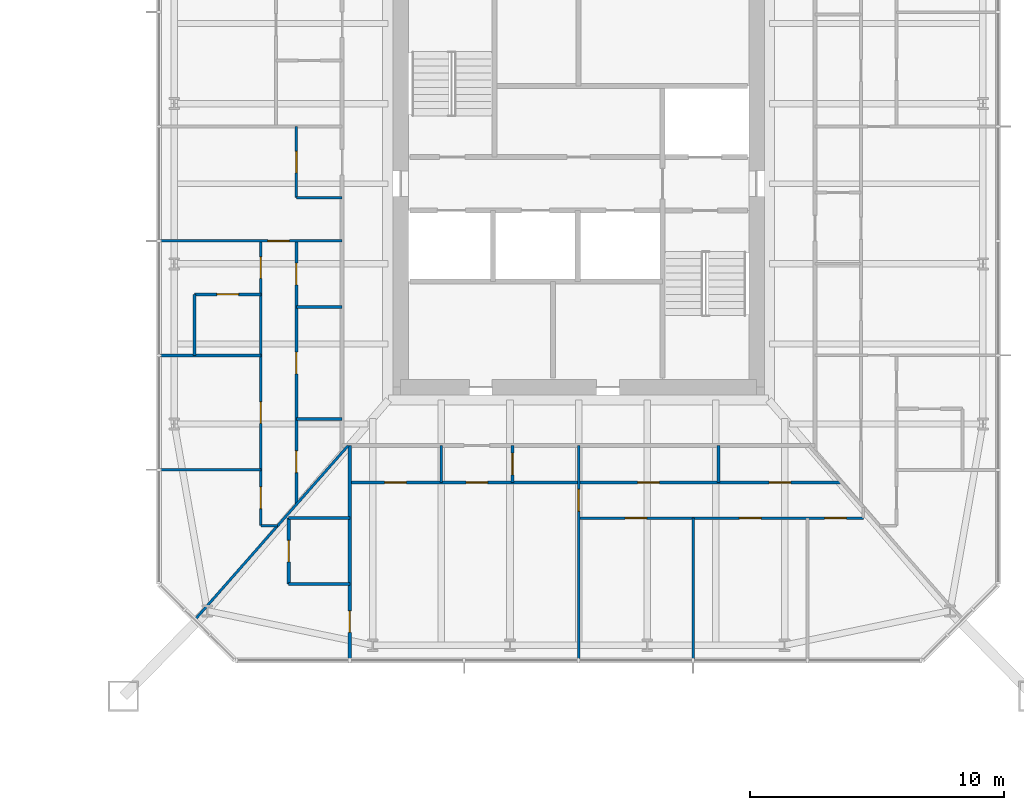
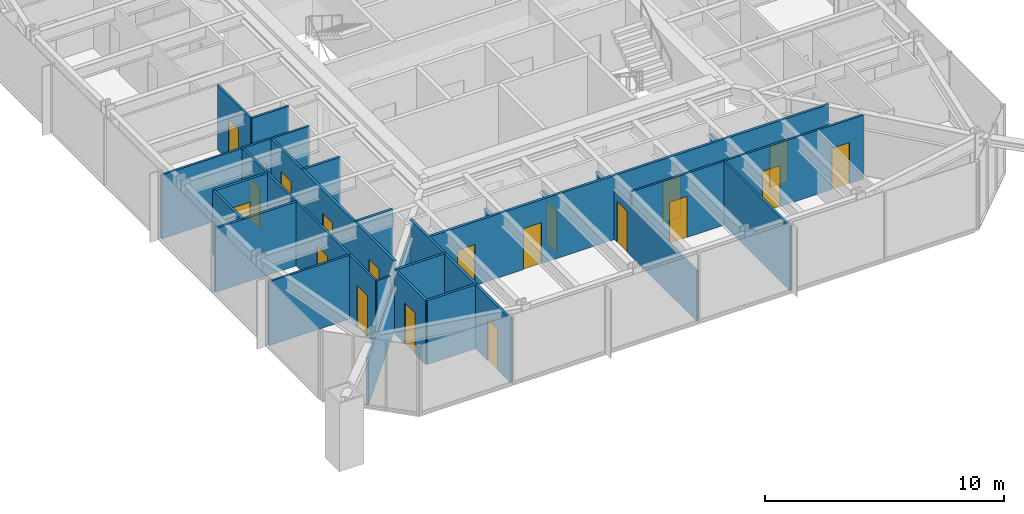
# One storey, part 18 of 26: 24 walls, 20 doors, 20 openings.
"""IFC4 building model written with IfcOpenShell, lengths in metres."""

import ifcopenshell
import ifcopenshell.guid

model = None  # the IFC model being written
_history = None  # IfcOwnerHistory: only IFC2X3 demands one
_inside = {}  # id of a spatial element -> (the spatial element, [elements in it])
_under = {}  # id of a project, library or spatial element -> (it, [spatial elements below it])
_declared = {}  # id of a project -> (the project, [libraries it declares])
_typed = {}  # id of a type object -> (the type object, [elements of that type])
_made_of = {}  # id of a material, layer set ... -> (it, [elements and type objects made of it])


def new_model(schema):
    """Start an empty IFC model of exactly this schema.

    Asked for "IFC4X3", IfcOpenShell would pick the latest addendum, in which some entities
    have other attributes; the version numbers below select the first issue.
    IFC2X3 requires an IfcOwnerHistory on every rooted entity: one is made here for all.
    """
    global model, _history
    if schema == "IFC4X3":
        model = ifcopenshell.file(schema_version=(4, 3, 0, 0))
    else:
        model = ifcopenshell.file(schema=schema)
    _inside.clear()
    _under.clear()
    _declared.clear()
    _typed.clear()
    _made_of.clear()
    _history = None
    if model.schema == "IFC2X3":
        org = make("IfcOrganization", Name="unknown")
        user = make(
            "IfcPersonAndOrganization",
            ThePerson=make("IfcPerson", FamilyName="unknown"),
            TheOrganization=org,
        )
        app = make(
            "IfcApplication",
            ApplicationDeveloper=org,
            Version="unknown",
            ApplicationFullName="unknown",
            ApplicationIdentifier="unknown",
        )
        _history = make(
            "IfcOwnerHistory",
            OwningUser=user,
            OwningApplication=app,
            ChangeAction="ADDED",
            CreationDate=0,
        )
    return model


def make(cls, **values):
    """One entity of the class cls with the attributes given. An attribute that is None is left unset."""
    return model.create_entity(
        cls, **{name: value for name, value in values.items() if value is not None}
    )


def rooted(cls, **values):
    """An entity with a GlobalId (a new one), such as an element, a storey or a relation."""
    return make(cls, GlobalId=ifcopenshell.guid.new(), OwnerHistory=_history, **values)


def si_unit(unit_type, name, prefix=None):
    """IfcSIUnit, for example si_unit("LENGTHUNIT", "METRE", prefix="MILLI")."""
    return make("IfcSIUnit", UnitType=unit_type, Prefix=prefix, Name=name)


def assignment(units):
    """IfcUnitAssignment: the units of a project."""
    return None if units is None else make("IfcUnitAssignment", Units=units)


def point(xyz):
    """IfcCartesianPoint."""
    return None if xyz is None else make("IfcCartesianPoint", Coordinates=xyz)


def direction(xyz):
    """IfcDirection."""
    return None if xyz is None else make("IfcDirection", DirectionRatios=xyz)


def frame(location, z_axis=None, x_axis=None):
    """IfcAxis2Placement3D, a coordinate frame: its origin and axes. An axis left out is left unset."""
    return make(
        "IfcAxis2Placement3D",
        Location=point(location),
        Axis=direction(z_axis),
        RefDirection=direction(x_axis),
    )


def frame_2d(location, x_axis=None):
    """IfcAxis2Placement2D, a coordinate frame in the plane: its origin and x axis."""
    return make(
        "IfcAxis2Placement2D", Location=point(location), RefDirection=direction(x_axis)
    )


def origin():
    """The frame at (0, 0, 0) with its axes left unset."""
    return frame((0.0, 0.0, 0.0))


def place(relative_to, where):
    """IfcLocalPlacement: puts the frame where relative to a parent placement (None: the world)."""
    return make(
        "IfcLocalPlacement", PlacementRelTo=relative_to, RelativePlacement=where
    )


def context(
    kind, dimensions, precision=None, world=None, true_north=None, identifier=None
):
    """IfcGeometricRepresentationContext, for example the 3D "Model" context."""
    return make(
        "IfcGeometricRepresentationContext",
        ContextIdentifier=identifier,
        ContextType=kind,
        CoordinateSpaceDimension=dimensions,
        Precision=precision,
        WorldCoordinateSystem=world,
        TrueNorth=true_north,
    )


def subcontext(parent, identifier, kind, view, scale=None):
    """IfcGeometricRepresentationSubContext, for example "Body" below "Model"."""
    return make(
        "IfcGeometricRepresentationSubContext",
        ContextIdentifier=identifier,
        ContextType=kind,
        ParentContext=parent,
        TargetScale=scale,
        TargetView=view,
    )


def project(units=None, contexts=None):
    """IfcProject with its units and contexts."""
    return rooted(
        "IfcProject",
        Name="project",
        RepresentationContexts=contexts,
        UnitsInContext=assignment(units),
    )


def spatial(cls, under=None, at=None, **own):
    """A site, building, storey or space (cls), placed at a placement, below another one or the project."""
    s = rooted(cls, ObjectPlacement=at, **own)
    if under is not None:
        _under.setdefault(under.id(), (under, []))[1].append(s)
    return s


def profile(cls, at=None, kind="AREA", **sizes):
    """A parametric profile (cls). Its sizes go by their IFC names, for example OverallWidth=200.0."""
    return make(cls, ProfileType=kind, Position=at, **sizes)


def rectangle(**sizes):
    """IfcRectangleProfileDef."""
    return profile("IfcRectangleProfileDef", **sizes)


def extrude(swept, where, along, depth):
    """IfcExtrudedAreaSolid: the profile swept, set in the frame where, extruded along a direction by depth."""
    return make(
        "IfcExtrudedAreaSolid",
        SweptArea=swept,
        Position=where,
        ExtrudedDirection=direction(along),
        Depth=depth,
    )


def shape(context_of_items, identifier, shape_type, items):
    """IfcShapeRepresentation: the items that make up one representation, for example the "Body"."""
    return make(
        "IfcShapeRepresentation",
        ContextOfItems=context_of_items,
        RepresentationIdentifier=identifier,
        RepresentationType=shape_type,
        Items=items,
    )


def material(Name=None, Category=None):
    """IfcMaterial."""
    return make("IfcMaterial", Name=Name, Category=Category)


def layer(
    of_material, thickness, ventilated=None, Name=None, Category=None, Priority=None
):
    """IfcMaterialLayer: one layer of a wall or slab, of a material (None: an air gap)."""
    return make(
        "IfcMaterialLayer",
        Material=of_material,
        LayerThickness=thickness,
        IsVentilated=ventilated,
        Name=Name,
        Category=Category,
        Priority=Priority,
    )


def layer_set(layers, Name=None):
    """IfcMaterialLayerSet."""
    return make("IfcMaterialLayerSet", MaterialLayers=layers, LayerSetName=Name)


def made_of(thing, what):
    """Note that an element or type object is made of a material, layer set ...; save() writes the relation."""
    if what is not None:
        _made_of.setdefault(what.id(), (what, []))[1].append(thing)
    return thing


def type_object(cls, material=None, **own):
    """A type object (cls), such as IfcWallType, which elements share."""
    return made_of(rooted(cls, **own), material)


def element(
    cls,
    number,
    at=None,
    inside=None,
    cuts=None,
    type_object=None,
    material=None,
    context=None,
    identifier="Body",
    shape_type=None,
    held_by="IfcProductDefinitionShape",
    body=None,
    shapes=None,
    **own,
):
    """One element of the class cls, such as IfcWall. Its Tag is "e" and its number.

    at: its placement. inside: the storey or other place that contains it. cuts: it is an
    opening in that element (IfcRelVoidsElement). A single representation is given by context,
    identifier, shape_type and body (its items); several are given by shapes. held_by: the class
    of the entity that holds the representations. save() writes the other relations.
    """
    e = rooted(cls, Tag="e%d" % number, ObjectPlacement=at, **own)
    if body is not None:
        shapes = [shape(context, identifier, shape_type, body)]
    if shapes is not None:
        e.Representation = make(held_by, Representations=shapes)
    if inside is not None:
        _inside.setdefault(inside.id(), (inside, []))[1].append(e)
    if cuts is not None:
        rooted(
            "IfcRelVoidsElement", RelatingBuildingElement=cuts, RelatedOpeningElement=e
        )
    if type_object is not None:
        _typed.setdefault(type_object.id(), (type_object, []))[1].append(e)
    return made_of(e, material)


def fill(opening, filler):
    """IfcRelFillsElement: the door or window that sits in an opening."""
    return rooted(
        "IfcRelFillsElement",
        RelatingOpeningElement=opening,
        RelatedBuildingElement=filler,
    )


def aggregate(whole, parts):
    """IfcRelAggregates: a whole, such as a stair, and the parts it consists of."""
    return rooted("IfcRelAggregates", RelatingObject=whole, RelatedObjects=parts)


def save(model, path):
    """Write the relations noted so far, then the file.

    IfcRelAggregates (storeys below a building ...), IfcRelContainedInSpatialStructure (elements
    in a storey), IfcRelDefinesByType, IfcRelAssociatesMaterial and IfcRelDeclares: one each for
    every whole, place, type object, material and project.
    """
    for whole, parts in _under.values():
        aggregate(whole, parts)
    for where, things in _inside.values():
        rooted(
            "IfcRelContainedInSpatialStructure",
            RelatedElements=things,
            RelatingStructure=where,
        )
    for kind, things in _typed.values():
        rooted("IfcRelDefinesByType", RelatedObjects=things, RelatingType=kind)
    for what, things in _made_of.values():
        rooted("IfcRelAssociatesMaterial", RelatedObjects=things, RelatingMaterial=what)
    for by, libraries in _declared.values():
        rooted("IfcRelDeclares", RelatingContext=by, RelatedDefinitions=libraries)
    model.write(path)


model = new_model("IFC4")

# Units and contexts
model_context = context("Model", 3, precision=1e-05, world=origin(), true_north=direction((0.0, 1.0)))
body_context = subcontext(model_context, "Body", "Model", "MODEL_VIEW")
ifc_project = project(units=[si_unit("LENGTHUNIT", "METRE"), si_unit("AREAUNIT", "SQUARE_METRE"), si_unit("VOLUMEUNIT", "CUBIC_METRE"), si_unit("PLANEANGLEUNIT", "RADIAN"), si_unit("MASSUNIT", "GRAM", prefix="KILO")], contexts=[model_context])

# Site, building, storey
site_placement = place(None, origin())
site = spatial("IfcSite", under=ifc_project, at=site_placement, CompositionType="ELEMENT")
building_placement = place(site_placement, origin())
building = spatial("IfcBuilding", under=site, at=building_placement, Name="Iwan Alto Co-Living Towers", CompositionType="ELEMENT")
storey_placement = place(building_placement, frame((0.0, 0.0, 50.0)))
storey = spatial("IfcBuildingStorey", under=building, at=storey_placement, Name="L13", CompositionType="ELEMENT", Elevation=50.0)

# Wall
ifc_material_1 = material(Name="Gypsum board")
ifc_layer_1 = layer(ifc_material_1, 0.012451171875, Name="Board", Category="Finish")
ifc_material_2 = material(Name="Steel ASTM A1003 ST33H cold-formed studs", Category="steel")
ifc_layer_2 = layer(ifc_material_2, 0.074951171875, Name="Studs", Category="Framing")
ifc_layer_3 = layer(ifc_material_1, 0.012451171875, Name="Board", Category="Finish")
ifc_layer_set_1 = layer_set([ifc_layer_1, ifc_layer_2, ifc_layer_3], Name="PARTITION 100")
wall_type_1 = type_object("IfcWallType", Name="PARTITION 100", PredefinedType="PARTITIONING", material=ifc_layer_set_1)
wall_1_placement = place(storey_placement, frame((50.5, -13.449951171875, 0.0), z_axis=(0.0, 0.0, 1.0), x_axis=(1.0, 0.0, 0.0)))
element("IfcWall", 1, at=wall_1_placement, inside=storey, type_object=wall_type_1, Name="Partition L13", PredefinedType="PARTITIONING", context=body_context, shape_type="SweptSolid", body=[
    extrude(rectangle(XDim=0.6640625, YDim=0.10009765625, at=frame_2d((0.33203125, 0.0))), origin(), (0.0, 0.0, 1.0), 3.27001953125),
])

# Wall, openings, doors
wall_2_placement = place(storey_placement, frame((63.0, -13.14990234375, 0.0), z_axis=(0.0, 0.0, 1.0), x_axis=(1.0, 0.0, 0.0)))
wall_2 = element("IfcWall", 2, at=wall_2_placement, inside=storey, type_object=wall_type_1, Name="Partition L13", PredefinedType="PARTITIONING", context=body_context, shape_type="SweptSolid", body=[
    extrude(rectangle(XDim=11.199951171875, YDim=0.10009765625, at=frame_2d((5.60009765625, 0.0))), origin(), (0.0, 0.0, 1.0), 3.27001953125),
])
opening_1_placement = place(wall_2_placement, frame((1.824951171875, 0.0, 0.0)))
opening_1 = element("IfcOpeningElement", 3, at=opening_1_placement, cuts=wall_2, Name="Opening D2", PredefinedType="OPENING", context=body_context, shape_type="SweptSolid", body=[
    extrude(rectangle(XDim=0.85009765625, YDim=2.10009765625, at=frame_2d((0.425048828125, 1.050048828125))), frame((0.0, 0.06005859375, 0.0), z_axis=(0.0, -1.0, 0.0), x_axis=(1.0, 0.0, 0.0)), (0.0, 0.0, 1.0), 0.1201171875),
])
opening_2_placement = place(wall_2_placement, frame((6.324951171875, 0.0, 0.0)))
opening_2 = element("IfcOpeningElement", 4, at=opening_2_placement, cuts=wall_2, Name="Opening D2", PredefinedType="OPENING", context=body_context, shape_type="SweptSolid", body=[
    extrude(rectangle(XDim=0.85009765625, YDim=2.10009765625, at=frame_2d((0.425048828125, 1.050048828125))), frame((0.0, 0.06005859375, 0.0), z_axis=(0.0, -1.0, 0.0), x_axis=(1.0, 0.0, 0.0)), (0.0, 0.0, 1.0), 0.1201171875),
])
opening_3_placement = place(wall_2_placement, frame((9.675048828125, 0.0, 0.0)))
opening_3 = element("IfcOpeningElement", 5, at=opening_3_placement, cuts=wall_2, Name="Opening D2", PredefinedType="OPENING", context=body_context, shape_type="SweptSolid", body=[
    extrude(rectangle(XDim=0.85009765625, YDim=2.10009765625, at=frame_2d((0.425048828125, 1.050048828125))), frame((0.0, 0.06005859375, 0.0), z_axis=(0.0, -1.0, 0.0), x_axis=(1.0, 0.0, 0.0)), (0.0, 0.0, 1.0), 0.1201171875),
])
ifc_material_3 = material(Name="Timber leaf in steel frame", Category="steel")
door_type = type_object("IfcDoorType", Name="ROOM DOOR 850X2100", OperationType="SINGLE_SWING_LEFT", PredefinedType="DOOR", material=ifc_material_3)
door_1_placement = place(opening_1_placement, frame((0.85009765625, 0.0, 0.0), z_axis=(0.0, 0.0, 1.0), x_axis=(-1.0, 0.0, 0.0)))
door_1 = element("IfcDoor", 6, at=door_1_placement, inside=storey, type_object=door_type, Name="Study door L13", OperationType="SINGLE_SWING_RIGHT", OverallHeight=2.10009765625, OverallWidth=0.85009765625, PredefinedType="DOOR", context=body_context, shape_type="SweptSolid", body=[
    extrude(rectangle(XDim=0.85009765625, YDim=2.10009765625, at=frame_2d((0.425048828125, 1.050048828125))), frame((0.0, 0.02490234375, 0.0), z_axis=(0.0, -1.0, 0.0), x_axis=(1.0, 0.0, 0.0)), (0.0, 0.0, 1.0), 0.050048828125),
])
fill(opening_1, door_1)
door_2_placement = place(opening_2_placement, frame((0.85009765625, 0.0, 0.0), z_axis=(0.0, 0.0, 1.0), x_axis=(-1.0, 0.0, 0.0)))
door_2 = element("IfcDoor", 7, at=door_2_placement, inside=storey, type_object=door_type, Name="Bedroom door L13", OperationType="SINGLE_SWING_RIGHT", OverallHeight=2.10009765625, OverallWidth=0.85009765625, PredefinedType="DOOR", context=body_context, shape_type="SweptSolid", body=[
    extrude(rectangle(XDim=0.85009765625, YDim=2.10009765625, at=frame_2d((0.425048828125, 1.050048828125))), frame((0.0, 0.02490234375, 0.0), z_axis=(0.0, -1.0, 0.0), x_axis=(1.0, 0.0, 0.0)), (0.0, 0.0, 1.0), 0.050048828125),
])
fill(opening_2, door_2)
door_3_placement = place(opening_3_placement, frame((0.85009765625, 0.0, 0.0), z_axis=(0.0, 0.0, 1.0), x_axis=(-1.0, 0.0, 0.0)))
door_3 = element("IfcDoor", 8, at=door_3_placement, inside=storey, type_object=door_type, Name="Bedroom door L13", OperationType="SINGLE_SWING_RIGHT", OverallHeight=2.10009765625, OverallWidth=0.85009765625, PredefinedType="DOOR", context=body_context, shape_type="SweptSolid", body=[
    extrude(rectangle(XDim=0.85009765625, YDim=2.10009765625, at=frame_2d((0.425048828125, 1.050048828125))), frame((0.0, 0.02490234375, 0.0), z_axis=(0.0, -1.0, 0.0), x_axis=(1.0, 0.0, 0.0)), (0.0, 0.0, 1.0), 0.050048828125),
])
fill(opening_3, door_3)

# Wall
wall_3_placement = place(storey_placement, frame((46.56005859375, -11.25, 0.0), z_axis=(0.0, 0.0, 1.0), x_axis=(1.0, 0.0, 0.0)))
element("IfcWall", 9, at=wall_3_placement, inside=storey, type_object=wall_type_1, Name="Partition L13", PredefinedType="PARTITIONING", context=body_context, shape_type="SweptSolid", body=[
    extrude(rectangle(XDim=3.93994140625, YDim=0.10009765625, at=frame_2d((1.969970703125, 0.0))), origin(), (0.0, 0.0, 1.0), 3.27001953125),
])

# Wall, opening, door
wall_4_placement = place(storey_placement, frame((46.56005859375, -2.25, 0.0), z_axis=(0.0, 0.0, 1.0), x_axis=(1.0, 0.0, 0.0)))
wall_4 = element("IfcWall", 10, at=wall_4_placement, inside=storey, type_object=wall_type_1, Name="Partition L13", PredefinedType="PARTITIONING", context=body_context, shape_type="SweptSolid", body=[
    extrude(rectangle(XDim=7.139892578125, YDim=0.10009765625, at=frame_2d((3.56982421875, 0.0))), origin(), (0.0, 0.0, 1.0), 3.27001953125),
])
opening_4_placement = place(wall_4_placement, frame((4.215087890625, 0.0, 0.0)))
opening_4 = element("IfcOpeningElement", 11, at=opening_4_placement, cuts=wall_4, Name="Opening D2", PredefinedType="OPENING", context=body_context, shape_type="SweptSolid", body=[
    extrude(rectangle(XDim=0.85009765625, YDim=2.10009765625, at=frame_2d((0.425048828125, 1.050048828125))), frame((0.0, 0.06005859375, 0.0), z_axis=(0.0, -1.0, 0.0), x_axis=(1.0, 0.0, 0.0)), (0.0, 0.0, 1.0), 0.1201171875),
])
door_4_placement = place(opening_4_placement, origin())
door_4 = element("IfcDoor", 12, at=door_4_placement, inside=storey, type_object=door_type, Name="Apartment hall door L13", OperationType="SINGLE_SWING_RIGHT", OverallHeight=2.10009765625, OverallWidth=0.85009765625, PredefinedType="DOOR", context=body_context, shape_type="SweptSolid", body=[
    extrude(rectangle(XDim=0.85009765625, YDim=2.10009765625, at=frame_2d((0.425048828125, 1.050048828125))), frame((0.0, 0.02490234375, 0.0), z_axis=(0.0, -1.0, 0.0), x_axis=(1.0, 0.0, 0.0)), (0.0, 0.0, 1.0), 0.050048828125),
])
fill(opening_4, door_4)

# Walls
wall_5_placement = place(storey_placement, frame((51.89990234375, -0.550048828125, 0.0), z_axis=(0.0, 0.0, 1.0), x_axis=(1.0, 0.0, 0.0)))
element("IfcWall", 13, at=wall_5_placement, inside=storey, type_object=wall_type_1, Name="Partition L13", PredefinedType="PARTITIONING", context=body_context, shape_type="SweptSolid", body=[
    extrude(rectangle(XDim=1.800048828125, YDim=0.10009765625, at=frame_2d((0.89990234375, 0.0))), origin(), (0.0, 0.0, 1.0), 3.27001953125),
])
wall_6_placement = place(storey_placement, frame((47.944091796875, -17.10888671875, 0.0), z_axis=(0.0, 0.0, 1.0), x_axis=(0.660638210404, 0.750704439146, 0.0)))
element("IfcWall", 14, at=wall_6_placement, inside=storey, type_object=wall_type_1, Name="Partition L13", PredefinedType="PARTITIONING", context=body_context, shape_type="SweptSolid", body=[
    extrude(rectangle(XDim=9.06982421875, YDim=0.10009765625, at=frame_2d((4.534912109375, 0.0))), origin(), (0.0, 0.0, 1.0), 2.42919921875),
])
wall_7_placement = place(storey_placement, frame((67.5, -18.68994140625, 0.0), z_axis=(0.0, 0.0, 1.0), x_axis=(0.0, 1.0, 0.0)))
element("IfcWall", 15, at=wall_7_placement, inside=storey, type_object=wall_type_1, Name="Partition L13", PredefinedType="PARTITIONING", context=body_context, shape_type="SweptSolid", body=[
    extrude(rectangle(XDim=5.5400390625, YDim=0.10009765625, at=frame_2d((2.77001953125, 0.0))), origin(), (0.0, 0.0, 1.0), 3.27001953125),
])

# Wall, opening, door
wall_8_placement = place(storey_placement, frame((63.0, -18.68994140625, 0.0), z_axis=(0.0, 0.0, 1.0), x_axis=(0.0, 1.0, 0.0)))
wall_8 = element("IfcWall", 16, at=wall_8_placement, inside=storey, type_object=wall_type_1, Name="Partition L13", PredefinedType="PARTITIONING", context=body_context, shape_type="SweptSolid", body=[
    extrude(rectangle(XDim=8.389892578125, YDim=0.10009765625, at=frame_2d((4.19482421875, 0.0))), origin(), (0.0, 0.0, 1.0), 2.586669921875),
])
opening_5_placement = place(wall_8_placement, frame((5.81494140625, 0.0, 0.0)))
opening_5 = element("IfcOpeningElement", 17, at=opening_5_placement, cuts=wall_8, Name="Opening D2", PredefinedType="OPENING", context=body_context, shape_type="SweptSolid", body=[
    extrude(rectangle(XDim=0.85009765625, YDim=2.10009765625, at=frame_2d((0.425048828125, 1.050048828125))), frame((0.0, 0.06005859375, 0.0), z_axis=(0.0, -1.0, 0.0), x_axis=(1.0, 0.0, 0.0)), (0.0, 0.0, 1.0), 0.1201171875),
])
door_5_placement = place(opening_5_placement, origin())
door_5 = element("IfcDoor", 18, at=door_5_placement, inside=storey, type_object=door_type, Name="Apartment hall door L13", OperationType="SINGLE_SWING_RIGHT", OverallHeight=2.10009765625, OverallWidth=0.85009765625, PredefinedType="DOOR", context=body_context, shape_type="SweptSolid", body=[
    extrude(rectangle(XDim=0.85009765625, YDim=2.10009765625, at=frame_2d((0.425048828125, 1.050048828125))), frame((0.0, 0.02490234375, 0.0), z_axis=(0.0, -1.0, 0.0), x_axis=(1.0, 0.0, 0.0)), (0.0, 0.0, 1.0), 0.050048828125),
])
fill(opening_5, door_5)

# Wall
wall_9_placement = place(storey_placement, frame((57.60009765625, -11.75, 0.0), z_axis=(0.0, 0.0, 1.0), x_axis=(0.0, 1.0, 0.0)))
element("IfcWall", 19, at=wall_9_placement, inside=storey, type_object=wall_type_1, Name="Partition L13", PredefinedType="PARTITIONING", context=body_context, shape_type="SweptSolid", body=[
    extrude(rectangle(XDim=1.449951171875, YDim=0.10009765625, at=frame_2d((0.72509765625, 0.0))), origin(), (0.0, 0.0, 1.0), 2.586669921875),
])

# Wall, opening, door
wall_10_placement = place(storey_placement, frame((51.89990234375, -0.550048828125, 0.0), z_axis=(0.0, 0.0, 1.0), x_axis=(0.0, 1.0, 0.0)))
wall_10 = element("IfcWall", 20, at=wall_10_placement, inside=storey, type_object=wall_type_1, Name="Partition L13", PredefinedType="PARTITIONING", context=body_context, shape_type="SweptSolid", body=[
    extrude(rectangle(XDim=2.800048828125, YDim=0.10009765625, at=frame_2d((1.39990234375, 0.0))), origin(), (0.0, 0.0, 1.0), 3.27001953125),
])
opening_6_placement = place(wall_10_placement, frame((0.97509765625, 0.0, 0.0)))
opening_6 = element("IfcOpeningElement", 21, at=opening_6_placement, cuts=wall_10, Name="Opening D2", PredefinedType="OPENING", context=body_context, shape_type="SweptSolid", body=[
    extrude(rectangle(XDim=0.85009765625, YDim=2.10009765625, at=frame_2d((0.425048828125, 1.050048828125))), frame((0.0, 0.06005859375, 0.0), z_axis=(0.0, -1.0, 0.0), x_axis=(1.0, 0.0, 0.0)), (0.0, 0.0, 1.0), 0.1201171875),
])
door_6_placement = place(opening_6_placement, origin())
door_6 = element("IfcDoor", 22, at=door_6_placement, inside=storey, type_object=door_type, Name="Apartment foyer door L13", OperationType="SINGLE_SWING_RIGHT", OverallHeight=2.10009765625, OverallWidth=0.85009765625, PredefinedType="DOOR", context=body_context, shape_type="SweptSolid", body=[
    extrude(rectangle(XDim=0.85009765625, YDim=2.10009765625, at=frame_2d((0.425048828125, 1.050048828125))), frame((0.0, 0.02490234375, 0.0), z_axis=(0.0, -1.0, 0.0), x_axis=(1.0, 0.0, 0.0)), (0.0, 0.0, 1.0), 0.050048828125),
])
fill(opening_6, door_6)

# Wall, openings, doors
wall_11_placement = place(storey_placement, frame((50.5, -13.449951171875, 0.0), z_axis=(0.0, 0.0, 1.0), x_axis=(0.0, 1.0, 0.0)))
wall_11 = element("IfcWall", 23, at=wall_11_placement, inside=storey, type_object=wall_type_1, Name="Partition L13", PredefinedType="PARTITIONING", context=body_context, shape_type="SweptSolid", body=[
    extrude(rectangle(XDim=11.199951171875, YDim=0.10009765625, at=frame_2d((5.60009765625, 0.0))), origin(), (0.0, 0.0, 1.0), 3.27001953125),
])
opening_7_placement = place(wall_11_placement, frame((9.72509765625, 0.0, 0.0)))
opening_7 = element("IfcOpeningElement", 24, at=opening_7_placement, cuts=wall_11, Name="Opening D2", PredefinedType="OPENING", context=body_context, shape_type="SweptSolid", body=[
    extrude(rectangle(XDim=0.85009765625, YDim=2.10009765625, at=frame_2d((0.425048828125, 1.050048828125))), frame((0.0, 0.06005859375, 0.0), z_axis=(0.0, -1.0, 0.0), x_axis=(1.0, 0.0, 0.0)), (0.0, 0.0, 1.0), 0.1201171875),
])
opening_8_placement = place(wall_11_placement, frame((4.02490234375, 0.0, 0.0)))
opening_8 = element("IfcOpeningElement", 25, at=opening_8_placement, cuts=wall_11, Name="Opening D2", PredefinedType="OPENING", context=body_context, shape_type="SweptSolid", body=[
    extrude(rectangle(XDim=0.85009765625, YDim=2.10009765625, at=frame_2d((0.425048828125, 1.050048828125))), frame((0.0, 0.06005859375, 0.0), z_axis=(0.0, -1.0, 0.0), x_axis=(1.0, 0.0, 0.0)), (0.0, 0.0, 1.0), 0.1201171875),
])
opening_9_placement = place(wall_11_placement, frame((0.675048828125, 0.0, 0.0)))
opening_9 = element("IfcOpeningElement", 26, at=opening_9_placement, cuts=wall_11, Name="Opening D2", PredefinedType="OPENING", context=body_context, shape_type="SweptSolid", body=[
    extrude(rectangle(XDim=0.85009765625, YDim=2.10009765625, at=frame_2d((0.425048828125, 1.050048828125))), frame((0.0, 0.06005859375, 0.0), z_axis=(0.0, -1.0, 0.0), x_axis=(1.0, 0.0, 0.0)), (0.0, 0.0, 1.0), 0.1201171875),
])
door_7_placement = place(opening_7_placement, origin())
door_7 = element("IfcDoor", 27, at=door_7_placement, inside=storey, type_object=door_type, Name="Bedroom door L13", OperationType="SINGLE_SWING_LEFT", OverallHeight=2.10009765625, OverallWidth=0.85009765625, PredefinedType="DOOR", context=body_context, shape_type="SweptSolid", body=[
    extrude(rectangle(XDim=0.85009765625, YDim=2.10009765625, at=frame_2d((0.425048828125, 1.050048828125))), frame((0.0, 0.02490234375, 0.0), z_axis=(0.0, -1.0, 0.0), x_axis=(1.0, 0.0, 0.0)), (0.0, 0.0, 1.0), 0.050048828125),
])
fill(opening_7, door_7)
door_8_placement = place(opening_8_placement, origin())
door_8 = element("IfcDoor", 28, at=door_8_placement, inside=storey, type_object=door_type, Name="Bedroom door L13", OperationType="SINGLE_SWING_LEFT", OverallHeight=2.10009765625, OverallWidth=0.85009765625, PredefinedType="DOOR", context=body_context, shape_type="SweptSolid", body=[
    extrude(rectangle(XDim=0.85009765625, YDim=2.10009765625, at=frame_2d((0.425048828125, 1.050048828125))), frame((0.0, 0.02490234375, 0.0), z_axis=(0.0, -1.0, 0.0), x_axis=(1.0, 0.0, 0.0)), (0.0, 0.0, 1.0), 0.050048828125),
])
fill(opening_8, door_8)
door_9_placement = place(opening_9_placement, origin())
door_9 = element("IfcDoor", 29, at=door_9_placement, inside=storey, type_object=door_type, Name="Bedroom door L13", OperationType="SINGLE_SWING_RIGHT", OverallHeight=2.10009765625, OverallWidth=0.85009765625, PredefinedType="DOOR", context=body_context, shape_type="SweptSolid", body=[
    extrude(rectangle(XDim=0.85009765625, YDim=2.10009765625, at=frame_2d((0.425048828125, 1.050048828125))), frame((0.0, 0.02490234375, 0.0), z_axis=(0.0, -1.0, 0.0), x_axis=(1.0, 0.0, 0.0)), (0.0, 0.0, 1.0), 0.050048828125),
])
fill(opening_9, door_9)

# Walls
ifc_material_4 = material(Name="Cement board")
ifc_layer_4 = layer(ifc_material_4, 0.012451171875, Name="Board", Category="Finish")
ifc_layer_5 = layer(ifc_material_2, 0.094970703125, Name="Studs", Category="Framing")
ifc_layer_6 = layer(ifc_material_4, 0.012451171875, Name="Board", Category="Finish")
ifc_layer_set_2 = layer_set([ifc_layer_4, ifc_layer_5, ifc_layer_6], Name="WET AREA PARTITION 120")
wall_type_2 = type_object("IfcWallType", Name="WET AREA PARTITION 120", PredefinedType="PARTITIONING", material=ifc_layer_set_2)
for number, where, z_axis, x_axis, name in (
    (30, (51.60009765625, -15.75, 0.0), (0.0, 0.0, 1.0), (1.0, 0.0, 0.0), "Partition L13"),
    (31, (51.60009765625, -13.14990234375, 0.0), (0.0, 0.0, 1.0), (1.0, 0.0, 0.0), "Partition L13"),
):
    element("IfcWall", number, at=place(storey_placement, frame(where, z_axis=z_axis, x_axis=x_axis)), inside=storey, type_object=wall_type_2, Name=name, PredefinedType="PARTITIONING", context=body_context, shape_type="SweptSolid", body=[
        extrude(rectangle(XDim=2.39990234375, YDim=0.1201171875, at=frame_2d((1.199951171875, 0.0))), origin(), (0.0, 0.0, 1.0), 3.27001953125),
    ])

# Wall, openings, doors
wall_12_placement = place(storey_placement, frame((54.0, -11.75, 0.0), z_axis=(0.0, 0.0, 1.0), x_axis=(1.0, 0.0, 0.0)))
wall_12 = element("IfcWall", 32, at=wall_12_placement, inside=storey, type_object=wall_type_2, Name="Partition L13", PredefinedType="PARTITIONING", context=body_context, shape_type="SweptSolid", body=[
    extrude(rectangle(XDim=19.340087890625, YDim=0.1201171875, at=frame_2d((9.669921875, 0.0))), origin(), (0.0, 0.0, 1.0), 3.27001953125),
])
opening_10_placement = place(wall_12_placement, frame((1.375, 0.0, 0.0)))
opening_10 = element("IfcOpeningElement", 33, at=opening_10_placement, cuts=wall_12, Name="Opening D2", PredefinedType="OPENING", context=body_context, shape_type="SweptSolid", body=[
    extrude(rectangle(XDim=0.85009765625, YDim=2.10009765625, at=frame_2d((0.425048828125, 1.050048828125))), frame((0.0, 0.070068359375, 0.0), z_axis=(0.0, -1.0, 0.0), x_axis=(1.0, 0.0, 0.0)), (0.0, 0.0, 1.0), 0.14013671875),
])
opening_11_placement = place(wall_12_placement, frame((4.574951171875, 0.0, 0.0)))
opening_11 = element("IfcOpeningElement", 34, at=opening_11_placement, cuts=wall_12, Name="Opening D2", PredefinedType="OPENING", context=body_context, shape_type="SweptSolid", body=[
    extrude(rectangle(XDim=0.85009765625, YDim=2.10009765625, at=frame_2d((0.425048828125, 1.050048828125))), frame((0.0, 0.070068359375, 0.0), z_axis=(0.0, -1.0, 0.0), x_axis=(1.0, 0.0, 0.0)), (0.0, 0.0, 1.0), 0.14013671875),
])
opening_12_placement = place(wall_12_placement, frame((11.324951171875, 0.0, 0.0)))
opening_12 = element("IfcOpeningElement", 35, at=opening_12_placement, cuts=wall_12, Name="Opening D2", PredefinedType="OPENING", context=body_context, shape_type="SweptSolid", body=[
    extrude(rectangle(XDim=0.85009765625, YDim=2.10009765625, at=frame_2d((0.425048828125, 1.050048828125))), frame((0.0, 0.070068359375, 0.0), z_axis=(0.0, -1.0, 0.0), x_axis=(1.0, 0.0, 0.0)), (0.0, 0.0, 1.0), 0.14013671875),
])
opening_13_placement = place(wall_12_placement, frame((16.4951171875, 0.0, 0.0)))
opening_13 = element("IfcOpeningElement", 36, at=opening_13_placement, cuts=wall_12, Name="Opening D2", PredefinedType="OPENING", context=body_context, shape_type="SweptSolid", body=[
    extrude(rectangle(XDim=0.85009765625, YDim=2.10009765625, at=frame_2d((0.425048828125, 1.050048828125))), frame((0.0, 0.070068359375, 0.0), z_axis=(0.0, -1.0, 0.0), x_axis=(1.0, 0.0, 0.0)), (0.0, 0.0, 1.0), 0.14013671875),
])
door_10_placement = place(opening_10_placement, frame((0.85009765625, 0.0, 0.0), z_axis=(0.0, 0.0, 1.0), x_axis=(-1.0, 0.0, 0.0)))
door_10 = element("IfcDoor", 37, at=door_10_placement, inside=storey, type_object=door_type, Name="Kitchen door L13", OperationType="SINGLE_SWING_RIGHT", OverallHeight=2.10009765625, OverallWidth=0.85009765625, PredefinedType="DOOR", context=body_context, shape_type="SweptSolid", body=[
    extrude(rectangle(XDim=0.85009765625, YDim=2.10009765625, at=frame_2d((0.425048828125, 1.050048828125))), frame((0.0, 0.02490234375, 0.0), z_axis=(0.0, -1.0, 0.0), x_axis=(1.0, 0.0, 0.0)), (0.0, 0.0, 1.0), 0.050048828125),
])
fill(opening_10, door_10)
door_11_placement = place(opening_11_placement, frame((0.85009765625, 0.0, 0.0), z_axis=(0.0, 0.0, 1.0), x_axis=(-1.0, 0.0, 0.0)))
door_11 = element("IfcDoor", 38, at=door_11_placement, inside=storey, type_object=door_type, Name="Apartment foyer door L13", OperationType="SINGLE_SWING_LEFT", OverallHeight=2.10009765625, OverallWidth=0.85009765625, PredefinedType="DOOR", context=body_context, shape_type="SweptSolid", body=[
    extrude(rectangle(XDim=0.85009765625, YDim=2.10009765625, at=frame_2d((0.425048828125, 1.050048828125))), frame((0.0, 0.02490234375, 0.0), z_axis=(0.0, -1.0, 0.0), x_axis=(1.0, 0.0, 0.0)), (0.0, 0.0, 1.0), 0.050048828125),
])
fill(opening_11, door_11)
door_12_placement = place(opening_12_placement, origin())
door_12 = element("IfcDoor", 39, at=door_12_placement, inside=storey, type_object=door_type, Name="Utility room door L13", OperationType="SINGLE_SWING_LEFT", OverallHeight=2.10009765625, OverallWidth=0.85009765625, PredefinedType="DOOR", context=body_context, shape_type="SweptSolid", body=[
    extrude(rectangle(XDim=0.85009765625, YDim=2.10009765625, at=frame_2d((0.425048828125, 1.050048828125))), frame((0.0, 0.02490234375, 0.0), z_axis=(0.0, -1.0, 0.0), x_axis=(1.0, 0.0, 0.0)), (0.0, 0.0, 1.0), 0.050048828125),
])
fill(opening_12, door_12)
door_13_placement = place(opening_13_placement, origin())
door_13 = element("IfcDoor", 40, at=door_13_placement, inside=storey, type_object=door_type, Name="Store room door L13", OperationType="SINGLE_SWING_RIGHT", OverallHeight=2.10009765625, OverallWidth=0.85009765625, PredefinedType="DOOR", context=body_context, shape_type="SweptSolid", body=[
    extrude(rectangle(XDim=0.85009765625, YDim=2.10009765625, at=frame_2d((0.425048828125, 1.050048828125))), frame((0.0, 0.02490234375, 0.0), z_axis=(0.0, -1.0, 0.0), x_axis=(1.0, 0.0, 0.0)), (0.0, 0.0, 1.0), 0.050048828125),
])
fill(opening_13, door_13)

# Walls
wall_13_placement = place(storey_placement, frame((51.89990234375, -9.25, 0.0), z_axis=(0.0, 0.0, 1.0), x_axis=(1.0, 0.0, 0.0)))
element("IfcWall", 41, at=wall_13_placement, inside=storey, type_object=wall_type_2, Name="Partition L13", PredefinedType="PARTITIONING", context=body_context, shape_type="SweptSolid", body=[
    extrude(rectangle(XDim=1.800048828125, YDim=0.1201171875, at=frame_2d((0.89990234375, 0.0))), origin(), (0.0, 0.0, 1.0), 3.27001953125),
])
wall_14_placement = place(storey_placement, frame((46.56005859375, -6.75, 0.0), z_axis=(0.0, 0.0, 1.0), x_axis=(1.0, 0.0, 0.0)))
element("IfcWall", 42, at=wall_14_placement, inside=storey, type_object=wall_type_2, Name="Partition L13", PredefinedType="PARTITIONING", context=body_context, shape_type="SweptSolid", body=[
    extrude(rectangle(XDim=3.93994140625, YDim=0.1201171875, at=frame_2d((1.969970703125, 0.0))), origin(), (0.0, 0.0, 1.0), 3.27001953125),
])
wall_15_placement = place(storey_placement, frame((51.89990234375, -4.85009765625, 0.0), z_axis=(0.0, 0.0, 1.0), x_axis=(1.0, 0.0, 0.0)))
element("IfcWall", 43, at=wall_15_placement, inside=storey, type_object=wall_type_2, Name="Partition L13", PredefinedType="PARTITIONING", context=body_context, shape_type="SweptSolid", body=[
    extrude(rectangle(XDim=1.800048828125, YDim=0.1201171875, at=frame_2d((0.89990234375, 0.0))), origin(), (0.0, 0.0, 1.0), 3.27001953125),
])

# Wall, opening, door
wall_16_placement = place(storey_placement, frame((47.89990234375, -4.35009765625, 0.0), z_axis=(0.0, 0.0, 1.0), x_axis=(1.0, 0.0, 0.0)))
wall_16 = element("IfcWall", 44, at=wall_16_placement, inside=storey, type_object=wall_type_2, Name="Partition L13", PredefinedType="PARTITIONING", context=body_context, shape_type="SweptSolid", body=[
    extrude(rectangle(XDim=2.60009765625, YDim=0.1201171875, at=frame_2d((1.300048828125, 0.0))), origin(), (0.0, 0.0, 1.0), 3.27001953125),
])
opening_14_placement = place(wall_16_placement, frame((0.875, 0.0, 0.0)))
opening_14 = element("IfcOpeningElement", 45, at=opening_14_placement, cuts=wall_16, Name="Opening D2", PredefinedType="OPENING", context=body_context, shape_type="SweptSolid", body=[
    extrude(rectangle(XDim=0.85009765625, YDim=2.10009765625, at=frame_2d((0.425048828125, 1.050048828125))), frame((0.0, 0.070068359375, 0.0), z_axis=(0.0, -1.0, 0.0), x_axis=(1.0, 0.0, 0.0)), (0.0, 0.0, 1.0), 0.14013671875),
])
door_14_placement = place(opening_14_placement, origin())
door_14 = element("IfcDoor", 46, at=door_14_placement, inside=storey, type_object=door_type, Name="En-suite shower room door L13", OperationType="SINGLE_SWING_RIGHT", OverallHeight=2.10009765625, OverallWidth=0.85009765625, PredefinedType="DOOR", context=body_context, shape_type="SweptSolid", body=[
    extrude(rectangle(XDim=0.85009765625, YDim=2.10009765625, at=frame_2d((0.425048828125, 1.050048828125))), frame((0.0, 0.02490234375, 0.0), z_axis=(0.0, -1.0, 0.0), x_axis=(1.0, 0.0, 0.0)), (0.0, 0.0, 1.0), 0.050048828125),
])
fill(opening_14, door_14)

# Wall
wall_17_placement = place(storey_placement, frame((68.5, -11.75, 0.0), z_axis=(0.0, 0.0, 1.0), x_axis=(0.0, 1.0, 0.0)))
element("IfcWall", 47, at=wall_17_placement, inside=storey, type_object=wall_type_2, Name="Partition L13", PredefinedType="PARTITIONING", context=body_context, shape_type="SweptSolid", body=[
    extrude(rectangle(XDim=1.449951171875, YDim=0.1201171875, at=frame_2d((0.72509765625, 0.0))), origin(), (0.0, 0.0, 1.0), 2.586669921875),
])

# Wall, opening, door
wall_18_placement = place(storey_placement, frame((60.39990234375, -11.75, 0.0), z_axis=(0.0, 0.0, 1.0), x_axis=(0.0, 1.0, 0.0)))
wall_18 = element("IfcWall", 48, at=wall_18_placement, inside=storey, type_object=wall_type_2, Name="Partition L13", PredefinedType="PARTITIONING", context=body_context, shape_type="SweptSolid", body=[
    extrude(rectangle(XDim=1.449951171875, YDim=0.1201171875, at=frame_2d((0.72509765625, 0.0))), origin(), (0.0, 0.0, 1.0), 2.508056640625),
])
opening_15_placement = place(wall_18_placement, frame((0.300048828125, 0.0, 0.0)))
opening_15 = element("IfcOpeningElement", 49, at=opening_15_placement, cuts=wall_18, Name="Opening D2", PredefinedType="OPENING", context=body_context, shape_type="SweptSolid", body=[
    extrude(rectangle(XDim=0.85009765625, YDim=2.10009765625, at=frame_2d((0.425048828125, 1.050048828125))), frame((0.0, 0.070068359375, 0.0), z_axis=(0.0, -1.0, 0.0), x_axis=(1.0, 0.0, 0.0)), (0.0, 0.0, 1.0), 0.14013671875),
])
door_15_placement = place(opening_15_placement, frame((0.85009765625, 0.0, 0.0), z_axis=(0.0, 0.0, 1.0), x_axis=(-1.0, 0.0, 0.0)))
door_15 = element("IfcDoor", 50, at=door_15_placement, inside=storey, type_object=door_type, Name="Shower room door L13", OperationType="SINGLE_SWING_RIGHT", OverallHeight=2.10009765625, OverallWidth=0.85009765625, PredefinedType="DOOR", context=body_context, shape_type="SweptSolid", body=[
    extrude(rectangle(XDim=0.85009765625, YDim=2.10009765625, at=frame_2d((0.425048828125, 1.050048828125))), frame((0.0, 0.02490234375, 0.0), z_axis=(0.0, -1.0, 0.0), x_axis=(1.0, 0.0, 0.0)), (0.0, 0.0, 1.0), 0.050048828125),
])
fill(opening_15, door_15)

wall_19_placement = place(storey_placement, frame((54.0, -18.68994140625, 0.0), z_axis=(0.0, 0.0, 1.0), x_axis=(0.0, 1.0, 0.0)))
wall_19 = element("IfcWall", 51, at=wall_19_placement, inside=storey, type_object=wall_type_2, Name="Partition L13", PredefinedType="PARTITIONING", context=body_context, shape_type="SweptSolid", body=[
    extrude(rectangle(XDim=8.389892578125, YDim=0.1201171875, at=frame_2d((4.19482421875, 0.0))), origin(), (0.0, 0.0, 1.0), 3.27001953125),
])
opening_16_placement = place(wall_19_placement, frame((1.044921875, 0.0, 0.0)))
opening_16 = element("IfcOpeningElement", 52, at=opening_16_placement, cuts=wall_19, Name="Opening D2", PredefinedType="OPENING", context=body_context, shape_type="SweptSolid", body=[
    extrude(rectangle(XDim=0.85009765625, YDim=2.10009765625, at=frame_2d((0.425048828125, 1.050048828125))), frame((0.0, 0.070068359375, 0.0), z_axis=(0.0, -1.0, 0.0), x_axis=(1.0, 0.0, 0.0)), (0.0, 0.0, 1.0), 0.14013671875),
])
door_16_placement = place(opening_16_placement, frame((0.85009765625, 0.0, 0.0), z_axis=(0.0, 0.0, 1.0), x_axis=(-1.0, 0.0, 0.0)))
door_16 = element("IfcDoor", 53, at=door_16_placement, inside=storey, type_object=door_type, Name="Bedroom door L13", OperationType="SINGLE_SWING_RIGHT", OverallHeight=2.10009765625, OverallWidth=0.85009765625, PredefinedType="DOOR", context=body_context, shape_type="SweptSolid", body=[
    extrude(rectangle(XDim=0.85009765625, YDim=2.10009765625, at=frame_2d((0.425048828125, 1.050048828125))), frame((0.0, 0.02490234375, 0.0), z_axis=(0.0, -1.0, 0.0), x_axis=(1.0, 0.0, 0.0)), (0.0, 0.0, 1.0), 0.050048828125),
])
fill(opening_16, door_16)

# Wall, openings, doors
wall_20_placement = place(storey_placement, frame((51.89990234375, -12.614013671875, 0.0), z_axis=(0.0, 0.0, 1.0), x_axis=(0.0, 1.0, 0.0)))
wall_20 = element("IfcWall", 54, at=wall_20_placement, inside=storey, type_object=wall_type_2, Name="Partition L13", PredefinedType="PARTITIONING", context=body_context, shape_type="SweptSolid", body=[
    extrude(rectangle(XDim=10.364013671875, YDim=0.1201171875, at=frame_2d((5.18212890625, 0.0))), origin(), (0.0, 0.0, 1.0), 3.27001953125),
])
opening_17_placement = place(wall_20_placement, frame((8.638916015625, 0.0, 0.0)))
opening_17 = element("IfcOpeningElement", 55, at=opening_17_placement, cuts=wall_20, Name="Opening D2", PredefinedType="OPENING", context=body_context, shape_type="SweptSolid", body=[
    extrude(rectangle(XDim=0.85009765625, YDim=2.10009765625, at=frame_2d((0.425048828125, 1.050048828125))), frame((0.0, 0.070068359375, 0.0), z_axis=(0.0, -1.0, 0.0), x_axis=(1.0, 0.0, 0.0)), (0.0, 0.0, 1.0), 0.14013671875),
])
opening_18_placement = place(wall_20_placement, frame((5.138916015625, 0.0, 0.0)))
opening_18 = element("IfcOpeningElement", 56, at=opening_18_placement, cuts=wall_20, Name="Opening D2", PredefinedType="OPENING", context=body_context, shape_type="SweptSolid", body=[
    extrude(rectangle(XDim=0.85009765625, YDim=2.10009765625, at=frame_2d((0.425048828125, 1.050048828125))), frame((0.0, 0.070068359375, 0.0), z_axis=(0.0, -1.0, 0.0), x_axis=(1.0, 0.0, 0.0)), (0.0, 0.0, 1.0), 0.14013671875),
])
opening_19_placement = place(wall_20_placement, frame((1.257080078125, 0.0, 0.0)))
opening_19 = element("IfcOpeningElement", 57, at=opening_19_placement, cuts=wall_20, Name="Opening D2", PredefinedType="OPENING", context=body_context, shape_type="SweptSolid", body=[
    extrude(rectangle(XDim=0.85009765625, YDim=2.10009765625, at=frame_2d((0.425048828125, 1.050048828125))), frame((0.0, 0.070068359375, 0.0), z_axis=(0.0, -1.0, 0.0), x_axis=(1.0, 0.0, 0.0)), (0.0, 0.0, 1.0), 0.14013671875),
])
door_17_placement = place(opening_17_placement, frame((0.85009765625, 0.0, 0.0), z_axis=(0.0, 0.0, 1.0), x_axis=(-1.0, 0.0, 0.0)))
door_17 = element("IfcDoor", 58, at=door_17_placement, inside=storey, type_object=door_type, Name="Bathroom door L13", OperationType="SINGLE_SWING_RIGHT", OverallHeight=2.10009765625, OverallWidth=0.85009765625, PredefinedType="DOOR", context=body_context, shape_type="SweptSolid", body=[
    extrude(rectangle(XDim=0.85009765625, YDim=2.10009765625, at=frame_2d((0.425048828125, 1.050048828125))), frame((0.0, 0.02490234375, 0.0), z_axis=(0.0, -1.0, 0.0), x_axis=(1.0, 0.0, 0.0)), (0.0, 0.0, 1.0), 0.050048828125),
])
fill(opening_17, door_17)
door_18_placement = place(opening_18_placement, frame((0.85009765625, 0.0, 0.0), z_axis=(0.0, 0.0, 1.0), x_axis=(-1.0, 0.0, 0.0)))
door_18 = element("IfcDoor", 59, at=door_18_placement, inside=storey, type_object=door_type, Name="Utility room door L13", OperationType="SINGLE_SWING_RIGHT", OverallHeight=2.10009765625, OverallWidth=0.85009765625, PredefinedType="DOOR", context=body_context, shape_type="SweptSolid", body=[
    extrude(rectangle(XDim=0.85009765625, YDim=2.10009765625, at=frame_2d((0.425048828125, 1.050048828125))), frame((0.0, 0.02490234375, 0.0), z_axis=(0.0, -1.0, 0.0), x_axis=(1.0, 0.0, 0.0)), (0.0, 0.0, 1.0), 0.050048828125),
])
fill(opening_18, door_18)
door_19_placement = place(opening_19_placement, frame((0.85009765625, 0.0, 0.0), z_axis=(0.0, 0.0, 1.0), x_axis=(-1.0, 0.0, 0.0)))
door_19 = element("IfcDoor", 60, at=door_19_placement, inside=storey, type_object=door_type, Name="Store room door L13", OperationType="SINGLE_SWING_RIGHT", OverallHeight=2.10009765625, OverallWidth=0.85009765625, PredefinedType="DOOR", context=body_context, shape_type="SweptSolid", body=[
    extrude(rectangle(XDim=0.85009765625, YDim=2.10009765625, at=frame_2d((0.425048828125, 1.050048828125))), frame((0.0, 0.02490234375, 0.0), z_axis=(0.0, -1.0, 0.0), x_axis=(1.0, 0.0, 0.0)), (0.0, 0.0, 1.0), 0.050048828125),
])
fill(opening_19, door_19)

# Wall, opening, door
wall_21_placement = place(storey_placement, frame((51.60009765625, -15.75, 0.0), z_axis=(0.0, 0.0, 1.0), x_axis=(0.0, 1.0, 0.0)))
wall_21 = element("IfcWall", 61, at=wall_21_placement, inside=storey, type_object=wall_type_2, Name="Partition L13", PredefinedType="PARTITIONING", context=body_context, shape_type="SweptSolid", body=[
    extrude(rectangle(XDim=2.60009765625, YDim=0.1201171875, at=frame_2d((1.300048828125, 0.0))), origin(), (0.0, 0.0, 1.0), 3.27001953125),
])
opening_20_placement = place(wall_21_placement, frame((0.875, 0.0, 0.0)))
opening_20 = element("IfcOpeningElement", 62, at=opening_20_placement, cuts=wall_21, Name="Opening D2", PredefinedType="OPENING", context=body_context, shape_type="SweptSolid", body=[
    extrude(rectangle(XDim=0.85009765625, YDim=2.10009765625, at=frame_2d((0.425048828125, 1.050048828125))), frame((0.0, 0.070068359375, 0.0), z_axis=(0.0, -1.0, 0.0), x_axis=(1.0, 0.0, 0.0)), (0.0, 0.0, 1.0), 0.14013671875),
])
door_20_placement = place(opening_20_placement, origin())
door_20 = element("IfcDoor", 63, at=door_20_placement, inside=storey, type_object=door_type, Name="En-suite shower room door L13", OperationType="SINGLE_SWING_RIGHT", OverallHeight=2.10009765625, OverallWidth=0.85009765625, PredefinedType="DOOR", context=body_context, shape_type="SweptSolid", body=[
    extrude(rectangle(XDim=0.85009765625, YDim=2.10009765625, at=frame_2d((0.425048828125, 1.050048828125))), frame((0.0, 0.02490234375, 0.0), z_axis=(0.0, -1.0, 0.0), x_axis=(1.0, 0.0, 0.0)), (0.0, 0.0, 1.0), 0.050048828125),
])
fill(opening_20, door_20)

# Wall
wall_22_placement = place(storey_placement, frame((47.89990234375, -6.75, 0.0), z_axis=(0.0, 0.0, 1.0), x_axis=(0.0, 1.0, 0.0)))
element("IfcWall", 64, at=wall_22_placement, inside=storey, type_object=wall_type_2, Name="Partition L13", PredefinedType="PARTITIONING", context=body_context, shape_type="SweptSolid", body=[
    extrude(rectangle(XDim=2.39990234375, YDim=0.1201171875, at=frame_2d((1.199951171875, 0.0))), origin(), (0.0, 0.0, 1.0), 3.27001953125),
])

save(model, "model.ifc")
